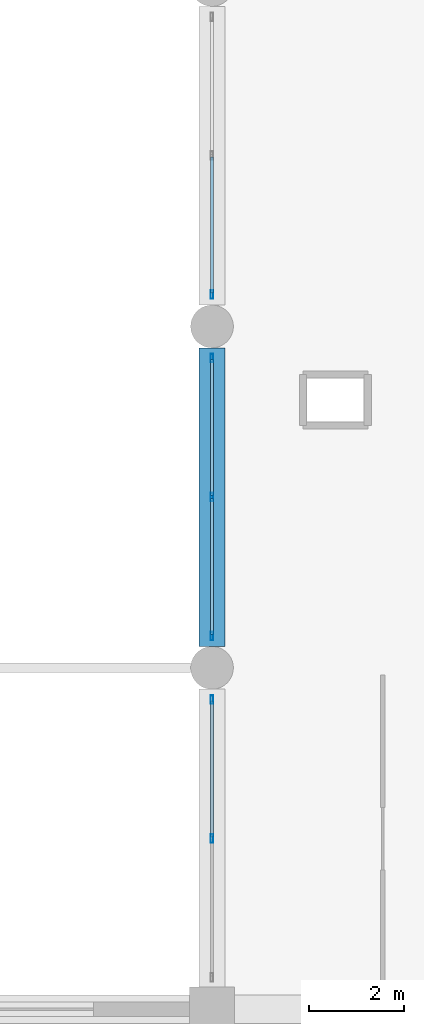
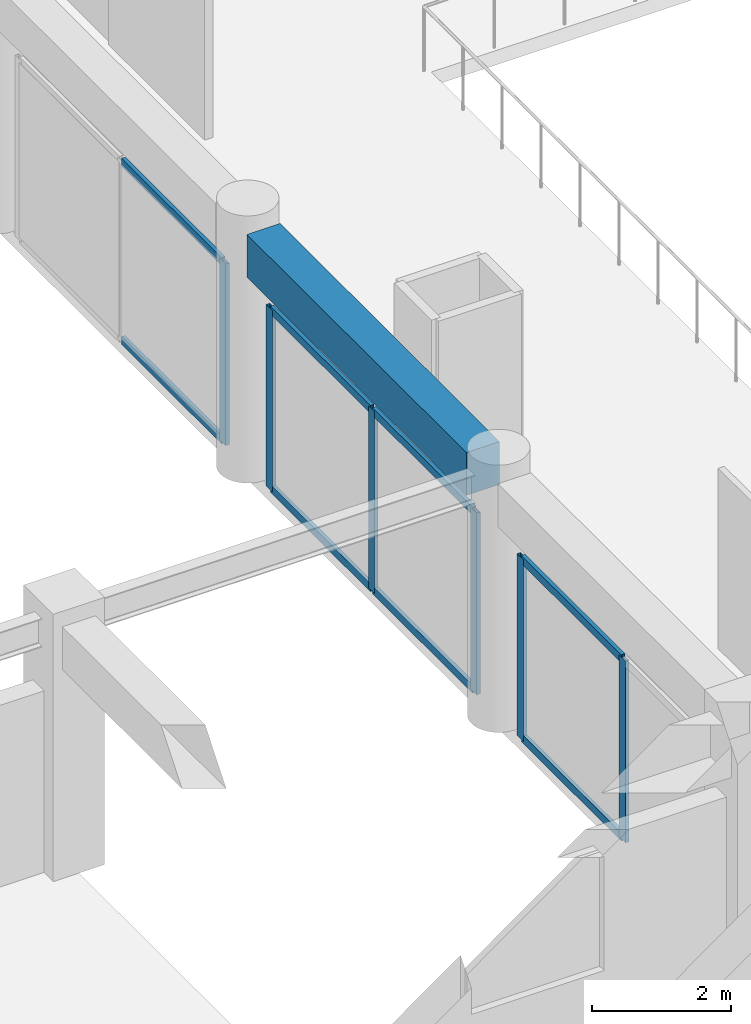
# One storey, part 7 of 54: 14 members, 1 beam, 3 elements without a shape of their own.
"""IFC4 building model written with IfcOpenShell, lengths in metres."""

from ifc_helpers import new_model, si_unit, direction, frame, origin, origin_2d, place, context, subcontext, project, spatial, rectangle, hollow_rectangle, extrude, material, material_profile, profile_set, type_object, element, aggregate, save


model = new_model("IFC4")

# Units and contexts
model_context = context("Model", 3, precision=1e-05, world=origin(), true_north=direction((0.0, 1.0)))
body_context = subcontext(model_context, "Body", "Model", "MODEL_VIEW")
ifc_project = project(units=[si_unit("LENGTHUNIT", "METRE"), si_unit("AREAUNIT", "SQUARE_METRE"), si_unit("VOLUMEUNIT", "CUBIC_METRE"), si_unit("PLANEANGLEUNIT", "RADIAN"), si_unit("MASSUNIT", "GRAM", prefix="KILO")], contexts=[model_context])

# Site, building, storey
site_placement = place(None, origin())
site = spatial("IfcSite", under=ifc_project, at=site_placement, CompositionType="ELEMENT")
building_placement = place(site_placement, origin())
building = spatial("IfcBuilding", under=site, at=building_placement, Name="Kazehaya Institute of Natural Sciences", CompositionType="ELEMENT")
storey_placement = place(building_placement, frame((0.0, 0.0, 10.43994140625)))
storey = spatial("IfcBuildingStorey", under=building, at=storey_placement, Name="L02", CompositionType="ELEMENT", Elevation=10.43994140625)

# Beam
ifc_material_1 = material(Name="Concrete Fc36", Category="concrete")
ifc_material_profile_1 = material_profile(ifc_material_1, rectangle(XDim=0.550048828125, YDim=0.75, at=origin_2d()), Name="RC-550x750")
ifc_profile_set_1 = profile_set([ifc_material_profile_1], Name="Concrete Fc36")
beam_type = type_object("IfcBeamType", Name="BM-G-550x750", PredefinedType="BEAM", material=ifc_profile_set_1)
beam_placement = place(storey_placement, frame((61.800048828125, 43.25, 4.03515625), z_axis=(0.0, 1.0, 0.0), x_axis=(-1.0, 0.0, 0.0)))
element("IfcBeam", 1, at=beam_placement, inside=storey, type_object=beam_type, Name="L02 primary Y girder BMY-L02-618-428", PredefinedType="BEAM", context=body_context, shape_type="SweptSolid", body=[
    extrude(rectangle(XDim=0.550048828125, YDim=0.75, at=origin_2d()), origin(), (0.0, 0.0, 1.0), 6.300048828125),
])

# Curtain wall, members
ifc_material_2 = material(Name="Aluminium alloy A6063S-T5", Category="aluminium")
curtain_wall_type = type_object("IfcCurtainWallType", Name="CW-SYS-03", PredefinedType="NOTDEFINED", material=ifc_material_2)
curtain_wall_1_placement = place(storey_placement, origin())
curtain_wall_1 = element("IfcCurtainWall", 2, at=curtain_wall_1_placement, inside=storey, type_object=curtain_wall_type, Name="L02 unitised curtain wall CW-L02-023", PredefinedType="NOTDEFINED")
ifc_material_profile_2 = material_profile(ifc_material_2, hollow_rectangle(XDim=0.06005859375, YDim=0.179931640625, WallThickness=0.00390625, at=origin_2d()), Name="ALU-60x180x4")
ifc_profile_set_2 = profile_set([ifc_material_profile_2], Name="Aluminium alloy A6063S-T5")
member_type_1 = type_object("IfcMemberType", Name="CWM-180", PredefinedType="MULLION", material=ifc_profile_set_2)
member_1_placement = place(storey_placement, frame((61.800048828125, 39.199951171875, 0.0), z_axis=(0.0, 0.0, 1.0), x_axis=(-1.0, 0.0, 0.0)))
member_1 = element("IfcMember", 3, at=member_1_placement, type_object=member_type_1, Name="CW03 mullion 2", PredefinedType="MULLION", context=body_context, shape_type="SweptSolid", body=[
    extrude(hollow_rectangle(XDim=0.06005859375, YDim=0.179931640625, WallThickness=0.00390625, at=origin_2d()), origin(), (0.0, 0.0, 1.0), 3.18017578125),
])
member_2_placement = place(storey_placement, frame((61.800048828125, 42.1298828125, 0.0), z_axis=(0.0, 0.0, 1.0), x_axis=(-1.0, 0.0, 0.0)))
member_2 = element("IfcMember", 4, at=member_2_placement, type_object=member_type_1, Name="CW03 mullion 3", PredefinedType="MULLION", context=body_context, shape_type="SweptSolid", body=[
    extrude(hollow_rectangle(XDim=0.06005859375, YDim=0.179931640625, WallThickness=0.00390625, at=origin_2d()), origin(), (0.0, 0.0, 1.0), 3.18017578125),
])

curtain_wall_2_placement = place(storey_placement, origin())
curtain_wall_2 = element("IfcCurtainWall", 5, at=curtain_wall_2_placement, inside=storey, type_object=curtain_wall_type, Name="L02 unitised curtain wall CW-L02-025", PredefinedType="NOTDEFINED")
member_3_placement = place(storey_placement, frame((61.800048828125, 43.469970703125, 0.0), z_axis=(0.0, 0.0, 1.0), x_axis=(-1.0, 0.0, 0.0)))
member_3 = element("IfcMember", 6, at=member_3_placement, type_object=member_type_1, Name="CW03 mullion 1", PredefinedType="MULLION", context=body_context, shape_type="SweptSolid", body=[
    extrude(hollow_rectangle(XDim=0.06005859375, YDim=0.179931640625, WallThickness=0.00390625, at=origin_2d()), origin(), (0.0, 0.0, 1.0), 3.18017578125),
])
member_4_placement = place(storey_placement, frame((61.800048828125, 46.39990234375, 0.0), z_axis=(0.0, 0.0, 1.0), x_axis=(-1.0, 0.0, 0.0)))
member_4 = element("IfcMember", 7, at=member_4_placement, type_object=member_type_1, Name="CW03 mullion 2", PredefinedType="MULLION", context=body_context, shape_type="SweptSolid", body=[
    extrude(hollow_rectangle(XDim=0.06005859375, YDim=0.179931640625, WallThickness=0.00390625, at=origin_2d()), origin(), (0.0, 0.0, 1.0), 3.18017578125),
])
member_5_placement = place(storey_placement, frame((61.800048828125, 49.330078125, 0.0), z_axis=(0.0, 0.0, 1.0), x_axis=(-1.0, 0.0, 0.0)))
member_5 = element("IfcMember", 8, at=member_5_placement, type_object=member_type_1, Name="CW03 mullion 3", PredefinedType="MULLION", context=body_context, shape_type="SweptSolid", body=[
    extrude(hollow_rectangle(XDim=0.06005859375, YDim=0.179931640625, WallThickness=0.00390625, at=origin_2d()), origin(), (0.0, 0.0, 1.0), 3.18017578125),
])

# Curtain wall, member
curtain_wall_3_placement = place(storey_placement, origin())
curtain_wall_3 = element("IfcCurtainWall", 9, at=curtain_wall_3_placement, inside=storey, type_object=curtain_wall_type, Name="L02 unitised curtain wall CW-L02-027", PredefinedType="NOTDEFINED")
member_6_placement = place(storey_placement, frame((61.800048828125, 50.669921875, 0.0), z_axis=(0.0, 0.0, 1.0), x_axis=(-1.0, 0.0, 0.0)))
member_6 = element("IfcMember", 10, at=member_6_placement, type_object=member_type_1, Name="CW03 mullion 1", PredefinedType="MULLION", context=body_context, shape_type="SweptSolid", body=[
    extrude(hollow_rectangle(XDim=0.06005859375, YDim=0.179931640625, WallThickness=0.00390625, at=origin_2d()), origin(), (0.0, 0.0, 1.0), 3.18017578125),
])

# Member
ifc_material_profile_3 = material_profile(ifc_material_2, hollow_rectangle(XDim=0.06005859375, YDim=0.139892578125, WallThickness=0.00341796875, at=origin_2d()), Name="ALU-60x140x3.5")
ifc_profile_set_3 = profile_set([ifc_material_profile_3], Name="Aluminium alloy A6063S-T5")
member_type_2 = type_object("IfcMemberType", Name="CWT-140", PredefinedType="USERDEFINED", material=ifc_profile_set_3)
member_7_placement = place(storey_placement, frame((61.800048828125, 39.22998046875, 0.030029296875), z_axis=(0.0, 1.0, 0.0), x_axis=(-1.0, 0.0, 0.0)))
member_7 = element("IfcMember", 11, at=member_7_placement, type_object=member_type_2, Name="CW03 transom 2.1", ObjectType="TRANSOM", PredefinedType="USERDEFINED", context=body_context, shape_type="SweptSolid", body=[
    extrude(hollow_rectangle(XDim=0.06005859375, YDim=0.139892578125, WallThickness=0.00341796875, at=origin_2d()), origin(), (0.0, 0.0, 1.0), 2.8701171875),
])

member_8_placement = place(storey_placement, frame((61.800048828125, 39.22998046875, 3.150146484375), z_axis=(0.0, 1.0, 0.0), x_axis=(-1.0, 0.0, 0.0)))
member_8 = element("IfcMember", 12, at=member_8_placement, type_object=member_type_2, Name="CW03 transom 2.2", ObjectType="TRANSOM", PredefinedType="USERDEFINED", context=body_context, shape_type="SweptSolid", body=[
    extrude(hollow_rectangle(XDim=0.06005859375, YDim=0.139892578125, WallThickness=0.00341796875, at=origin_2d()), origin(), (0.0, 0.0, 1.0), 2.8701171875),
])

aggregate(curtain_wall_1, [member_1, member_2, member_7, member_8])

member_9_placement = place(storey_placement, frame((61.800048828125, 43.5, 0.030029296875), z_axis=(0.0, 1.0, 0.0), x_axis=(-1.0, 0.0, 0.0)))
member_9 = element("IfcMember", 13, at=member_9_placement, type_object=member_type_2, Name="CW03 transom 1.1", ObjectType="TRANSOM", PredefinedType="USERDEFINED", context=body_context, shape_type="SweptSolid", body=[
    extrude(hollow_rectangle(XDim=0.06005859375, YDim=0.139892578125, WallThickness=0.00341796875, at=origin_2d()), origin(), (0.0, 0.0, 1.0), 2.8701171875),
])

member_10_placement = place(storey_placement, frame((61.800048828125, 43.5, 3.150146484375), z_axis=(0.0, 1.0, 0.0), x_axis=(-1.0, 0.0, 0.0)))
member_10 = element("IfcMember", 14, at=member_10_placement, type_object=member_type_2, Name="CW03 transom 1.2", ObjectType="TRANSOM", PredefinedType="USERDEFINED", context=body_context, shape_type="SweptSolid", body=[
    extrude(hollow_rectangle(XDim=0.06005859375, YDim=0.139892578125, WallThickness=0.00341796875, at=origin_2d()), origin(), (0.0, 0.0, 1.0), 2.8701171875),
])

member_11_placement = place(storey_placement, frame((61.800048828125, 46.429931640625, 0.030029296875), z_axis=(0.0, 1.0, 0.0), x_axis=(-1.0, 0.0, 0.0)))
member_11 = element("IfcMember", 15, at=member_11_placement, type_object=member_type_2, Name="CW03 transom 2.1", ObjectType="TRANSOM", PredefinedType="USERDEFINED", context=body_context, shape_type="SweptSolid", body=[
    extrude(hollow_rectangle(XDim=0.06005859375, YDim=0.139892578125, WallThickness=0.00341796875, at=origin_2d()), origin(), (0.0, 0.0, 1.0), 2.8701171875),
])

member_12_placement = place(storey_placement, frame((61.800048828125, 46.429931640625, 3.150146484375), z_axis=(0.0, 1.0, 0.0), x_axis=(-1.0, 0.0, 0.0)))
member_12 = element("IfcMember", 16, at=member_12_placement, type_object=member_type_2, Name="CW03 transom 2.2", ObjectType="TRANSOM", PredefinedType="USERDEFINED", context=body_context, shape_type="SweptSolid", body=[
    extrude(hollow_rectangle(XDim=0.06005859375, YDim=0.139892578125, WallThickness=0.00341796875, at=origin_2d()), origin(), (0.0, 0.0, 1.0), 2.8701171875),
])

aggregate(curtain_wall_2, [member_3, member_4, member_5, member_9, member_10, member_11, member_12])

member_13_placement = place(storey_placement, frame((61.800048828125, 50.699951171875, 0.030029296875), z_axis=(0.0, 1.0, 0.0), x_axis=(-1.0, 0.0, 0.0)))
member_13 = element("IfcMember", 17, at=member_13_placement, type_object=member_type_2, Name="CW03 transom 1.1", ObjectType="TRANSOM", PredefinedType="USERDEFINED", context=body_context, shape_type="SweptSolid", body=[
    extrude(hollow_rectangle(XDim=0.06005859375, YDim=0.139892578125, WallThickness=0.00341796875, at=origin_2d()), origin(), (0.0, 0.0, 1.0), 2.8701171875),
])

member_14_placement = place(storey_placement, frame((61.800048828125, 50.699951171875, 3.150146484375), z_axis=(0.0, 1.0, 0.0), x_axis=(-1.0, 0.0, 0.0)))
member_14 = element("IfcMember", 18, at=member_14_placement, type_object=member_type_2, Name="CW03 transom 1.2", ObjectType="TRANSOM", PredefinedType="USERDEFINED", context=body_context, shape_type="SweptSolid", body=[
    extrude(hollow_rectangle(XDim=0.06005859375, YDim=0.139892578125, WallThickness=0.00341796875, at=origin_2d()), origin(), (0.0, 0.0, 1.0), 2.8701171875),
])

aggregate(curtain_wall_3, [member_6, member_13, member_14])

save(model, "model.ifc")
